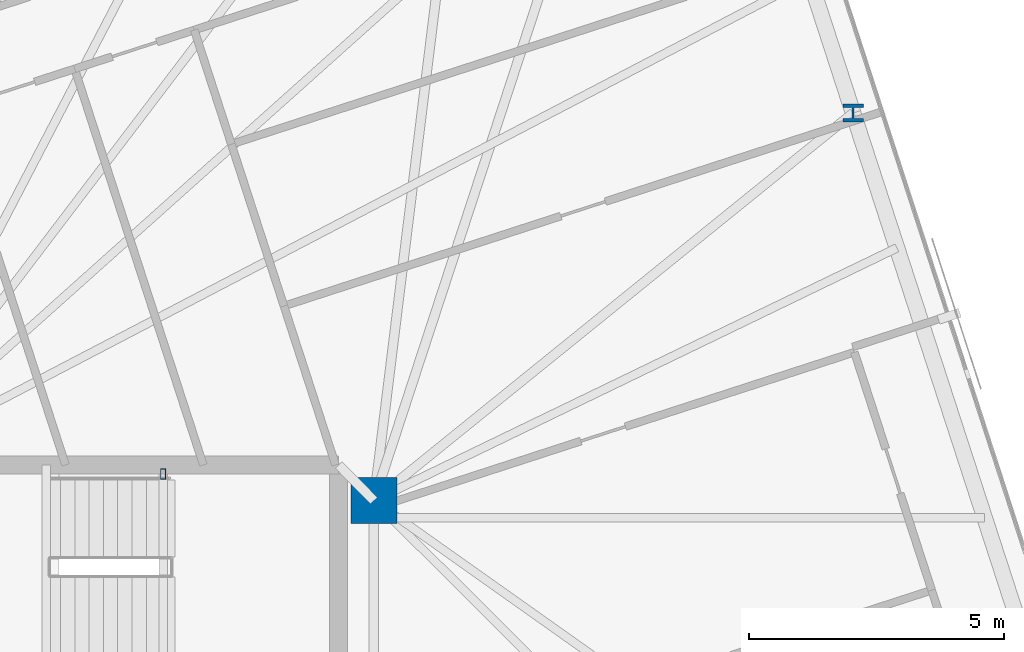
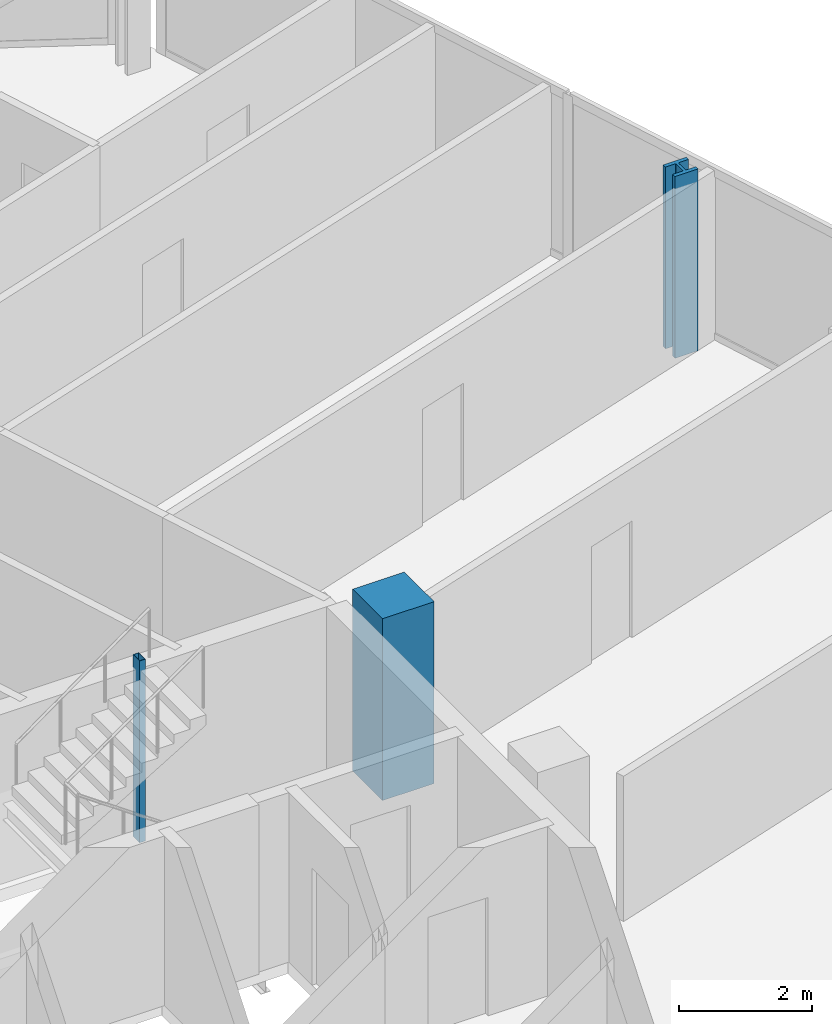
# One storey, part 3 of 20: 3 columns.
"""IFC4 building model written with IfcOpenShell, lengths in metres."""

from ifc_helpers import new_model, si_unit, direction, frame, origin, origin_2d, place, context, subcontext, project, spatial, rectangle, hollow_rectangle, i_section, extrude, material, material_profile, profile_set, type_object, element, save


model = new_model("IFC4")

# Units and contexts
model_context = context("Model", 3, precision=1e-05, world=origin(), true_north=direction((0.0, 1.0)))
body_context = subcontext(model_context, "Body", "Model", "MODEL_VIEW")
ifc_project = project(units=[si_unit("LENGTHUNIT", "METRE"), si_unit("AREAUNIT", "SQUARE_METRE"), si_unit("VOLUMEUNIT", "CUBIC_METRE"), si_unit("PLANEANGLEUNIT", "RADIAN"), si_unit("MASSUNIT", "GRAM", prefix="KILO")], contexts=[model_context])

# Site, building, storey
site_placement = place(None, origin())
site = spatial("IfcSite", under=ifc_project, at=site_placement, CompositionType="ELEMENT")
building_placement = place(site_placement, origin())
building = spatial("IfcBuilding", under=site, at=building_placement, Name="Menara Jurai Vektor", CompositionType="ELEMENT")
storey_placement = place(building_placement, frame((0.0, 0.0, 244.39990234375)))
storey = spatial("IfcBuildingStorey", under=building, at=storey_placement, Name="L65", CompositionType="ELEMENT", Elevation=244.39990234375)

# Columns
ifc_material_1 = material(Name="Concrete C50/60", Category="concrete")
ifc_material_profile_1 = material_profile(ifc_material_1, rectangle(XDim=0.89990234375, YDim=0.89990234375, at=origin_2d()), Name="RC 900x900")
ifc_profile_set_1 = profile_set([ifc_material_profile_1], Name="Concrete C50/60")
column_type_1 = type_object("IfcColumnType", Name="STR-COL-RC900", PredefinedType="COLUMN", material=ifc_profile_set_1)
column_1_placement = place(storey_placement, frame((15.25, 4.89990234375, 0.0), z_axis=(0.0, 0.0, 1.0), x_axis=(1.0, 0.0, 0.0)))
element("IfcColumn", 1, at=column_1_placement, inside=storey, type_object=column_type_1, Name="Core Spine Column CE-NE L65", PredefinedType="COLUMN", context=body_context, shape_type="SweptSolid", body=[
    extrude(rectangle(XDim=0.89990234375, YDim=0.89990234375, at=origin_2d()), origin(), (0.0, 0.0, 1.0), 3.35009765625),
])
ifc_material_2 = material(Name="Steel S355", Category="steel")
ifc_material_profile_2 = material_profile(ifc_material_2, hollow_rectangle(XDim=0.10009765625, YDim=0.199951171875, WallThickness=0.008056640625, at=origin_2d()), Name="RHS 200x100x8")
ifc_profile_set_2 = profile_set([ifc_material_profile_2], Name="Steel S355")
column_type_2 = type_object("IfcColumnType", Name="STR-COL-STAIR", PredefinedType="COLUMN", material=ifc_profile_set_2)
column_2_placement = place(storey_placement, frame((11.1201171875, 5.419921875, 0.0), z_axis=(0.0, 0.0, 1.0), x_axis=(1.0, 0.0, 0.0)))
element("IfcColumn", 2, at=column_2_placement, inside=storey, type_object=column_type_2, Name="Stair Well Header Column ST2-P2 L65", PredefinedType="COLUMN", context=body_context, shape_type="SweptSolid", body=[
    extrude(hollow_rectangle(XDim=0.10009765625, YDim=0.199951171875, WallThickness=0.008056640625, at=origin_2d()), origin(), (0.0, 0.0, 1.0), 3.35009765625),
])
ifc_material_3 = material(Name="Steel S460", Category="steel")
ifc_material_profile_3 = material_profile(ifc_material_3, i_section(OverallWidth=0.405029296875, OverallDepth=0.35498046875, WebThickness=0.0419921875, FlangeThickness=0.068115234375, FilletRadius=0.014892578125, at=origin_2d()), Name="HD 400x551")
ifc_profile_set_3 = profile_set([ifc_material_profile_3], Name="Steel S460")
column_type_3 = type_object("IfcColumnType", Name="STR-EXO-BLK4", PredefinedType="COLUMN", material=ifc_profile_set_3)
column_3_placement = place(storey_placement, frame((24.641845703125, 12.496826171875, 0.0), z_axis=(0.0, 0.0, 1.0), x_axis=(1.0, 0.0, 0.0)))
element("IfcColumn", 3, at=column_3_placement, inside=storey, type_object=column_type_3, Name="Exoskeleton Column BLK4-E3 L65", PredefinedType="COLUMN", context=body_context, shape_type="SweptSolid", body=[
    extrude(i_section(OverallWidth=0.405029296875, OverallDepth=0.35498046875, WebThickness=0.0419921875, FlangeThickness=0.068115234375, FilletRadius=0.014892578125, at=origin_2d()), origin(), (0.0, 0.0, 1.0), 3.35009765625),
])

save(model, "model.ifc")
